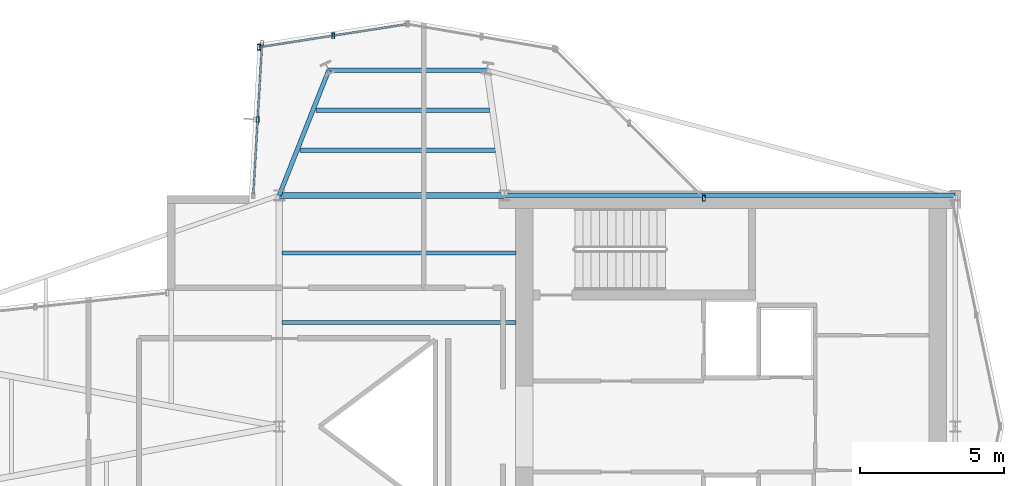
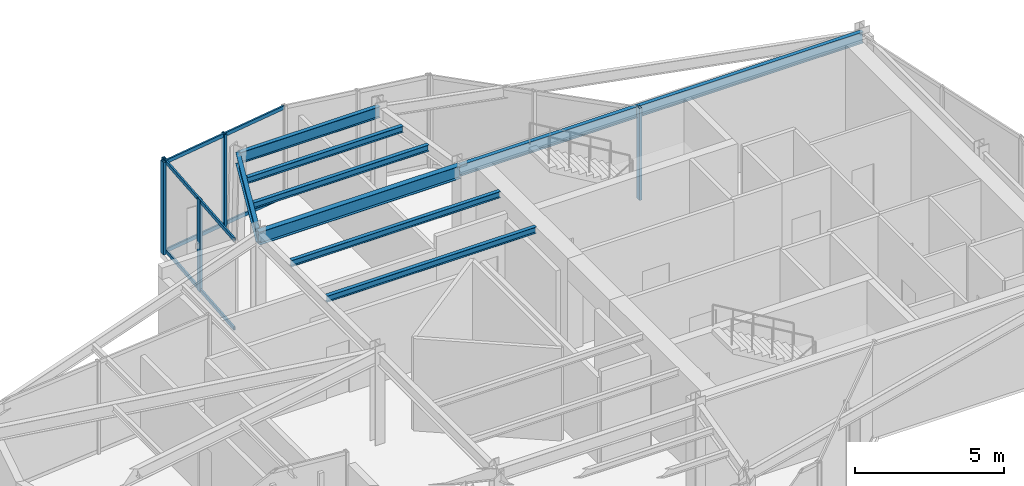
# One storey, part 5 of 13: 9 members, 8 beams, 3 elements without a shape of their own.
"""IFC4 building model written with IfcOpenShell, lengths in metres."""

from ifc_helpers import new_model, si_unit, direction, frame, origin, origin_2d, place, context, subcontext, project, spatial, hollow_rectangle, i_section, extrude, material, layer, layer_set, material_profile, profile_set, type_object, element, aggregate, save


model = new_model("IFC4")

# Units and contexts
model_context = context("Model", 3, precision=1e-05, world=origin(), true_north=direction((0.0, 1.0)))
body_context = subcontext(model_context, "Body", "Model", "MODEL_VIEW")
ifc_project = project(units=[si_unit("LENGTHUNIT", "METRE"), si_unit("AREAUNIT", "SQUARE_METRE"), si_unit("VOLUMEUNIT", "CUBIC_METRE"), si_unit("PLANEANGLEUNIT", "RADIAN"), si_unit("MASSUNIT", "GRAM", prefix="KILO")], contexts=[model_context])

# Site, building, storey
site_placement = place(None, origin())
site = spatial("IfcSite", under=ifc_project, at=site_placement, CompositionType="ELEMENT")
building_placement = place(site_placement, origin())
building = spatial("IfcBuilding", under=site, at=building_placement, Name="Veymaron Broadcast Tower", CompositionType="ELEMENT")
storey_placement = place(building_placement, frame((0.0, 0.0, 311.39990234375)))
storey = spatial("IfcBuildingStorey", under=building, at=storey_placement, Name="L73", CompositionType="ELEMENT", Elevation=311.39990234375)

# Beams
ifc_material_1 = material(Name="Structural steel ASTM A992 Gr 50", Category="steel")
ifc_material_profile_1 = material_profile(ifc_material_1, i_section(OverallWidth=0.208984375, OverallDepth=0.528076171875, WebThickness=0.009521484375, FlangeThickness=0.01318359375, at=origin_2d()), Name="W530X82")
ifc_profile_set_1 = profile_set([ifc_material_profile_1], Name="Structural steel ASTM A992 Gr 50")
beam_type_1 = type_object("IfcBeamType", Name="BM-FG4", PredefinedType="BEAM", material=ifc_profile_set_1)
beam_1_placement = place(storey_placement, frame((31.199951171875, 32.0, 3.51611328125), z_axis=(1.0, 0.0, 0.0), x_axis=(0.0, 1.0, 0.0)))
element("IfcBeam", 1, at=beam_1_placement, inside=storey, type_object=beam_type_1, Name="L73 primary structural floor girder", PredefinedType="BEAM", context=body_context, shape_type="SweptSolid", body=[
    extrude(i_section(OverallWidth=0.208984375, OverallDepth=0.528076171875, WebThickness=0.009521484375, FlangeThickness=0.01318359375, at=origin_2d()), origin(), (0.0, 0.0, 1.0), 7.800048828125),
])
ifc_material_profile_2 = material_profile(ifc_material_1, i_section(OverallWidth=0.14599609375, OverallDepth=0.258056640625, WebThickness=0.006103515625, FlangeThickness=0.009033203125, at=origin_2d()), Name="W250X33")
ifc_profile_set_2 = profile_set([ifc_material_profile_2], Name="Structural steel ASTM A992 Gr 50")
beam_type_2 = type_object("IfcBeamType", Name="BM-JS4", PredefinedType="JOIST", material=ifc_profile_set_2)
beam_2_placement = place(storey_placement, frame((31.9169921875, 33.55810546875, 3.651123046875), z_axis=(1.0, 0.0, 0.0), x_axis=(0.0, 1.0, 0.0)))
element("IfcBeam", 2, at=beam_2_placement, inside=storey, type_object=beam_type_2, Name="L73 Arm-B secondary joist 1", PredefinedType="JOIST", context=body_context, shape_type="SweptSolid", body=[
    extrude(i_section(OverallWidth=0.14599609375, OverallDepth=0.258056640625, WebThickness=0.006103515625, FlangeThickness=0.009033203125, at=origin_2d()), origin(), (0.0, 0.0, 1.0), 6.7626953125),
])
beam_3_placement = place(storey_placement, frame((32.465087890625, 34.943115234375, 3.651123046875), z_axis=(1.0, 0.0, 0.0), x_axis=(0.0, 1.0, 0.0)))
element("IfcBeam", 3, at=beam_3_placement, inside=storey, type_object=beam_type_2, Name="L73 Arm-B secondary joist 2", PredefinedType="JOIST", context=body_context, shape_type="SweptSolid", body=[
    extrude(i_section(OverallWidth=0.14599609375, OverallDepth=0.258056640625, WebThickness=0.006103515625, FlangeThickness=0.009033203125, at=origin_2d()), origin(), (0.0, 0.0, 1.0), 6.018798828125),
])
for number, where, z_axis, x_axis, name in (
    (4, (31.300048828125, 27.60009765625, 3.651123046875), (1.0, 0.0, 0.0), (0.0, 1.0, 0.0), "L73 Hub secondary joist 3"),
    (5, (31.300048828125, 30.0, 3.651123046875), (1.0, 0.0, 0.0), (0.0, 1.0, 0.0), "L73 Hub secondary joist 4"),
):
    element("IfcBeam", number, at=place(storey_placement, frame(where, z_axis=z_axis, x_axis=x_axis)), inside=storey, type_object=beam_type_2, Name=name, PredefinedType="JOIST", context=body_context, shape_type="SweptSolid", body=[
        extrude(i_section(OverallWidth=0.14599609375, OverallDepth=0.258056640625, WebThickness=0.006103515625, FlangeThickness=0.009033203125, at=origin_2d()), origin(), (0.0, 0.0, 1.0), 8.099853515625),
    ])
ifc_material_profile_3 = material_profile(ifc_material_1, i_section(OverallWidth=0.154052734375, OverallDepth=0.458984375, WebThickness=0.009033203125, FlangeThickness=0.015380859375, at=origin_2d()), Name="W460X68")
ifc_profile_set_3 = profile_set([ifc_material_profile_3], Name="Structural steel ASTM A992 Gr 50")
beam_type_3 = type_object("IfcBeamType", Name="BM-SP2", PredefinedType="SPANDREL", material=ifc_profile_set_3)
beam_4_placement = place(storey_placement, frame((39.0, 32.0, 3.550537109375), z_axis=(1.0, 0.0, 0.0), x_axis=(0.0, 1.0, 0.0)))
element("IfcBeam", 6, at=beam_4_placement, inside=storey, type_object=beam_type_3, Name="L73 primary structural floor girder", PredefinedType="SPANDREL", context=body_context, shape_type="SweptSolid", body=[
    extrude(i_section(OverallWidth=0.154052734375, OverallDepth=0.458984375, WebThickness=0.009033203125, FlangeThickness=0.015380859375, at=origin_2d()), origin(), (0.0, 0.0, 1.0), 15.60009765625),
])
beam_5_placement = place(storey_placement, frame((31.199951171875, 32.0, 3.550537109375), z_axis=(0.368141972335, 0.929769588772, 0.0), x_axis=(-0.929769588772, 0.368141972335, 0.0)))
element("IfcBeam", 7, at=beam_5_placement, inside=storey, type_object=beam_type_3, Name="L73 primary structural floor girder", PredefinedType="SPANDREL", context=body_context, shape_type="SweptSolid", body=[
    extrude(i_section(OverallWidth=0.154052734375, OverallDepth=0.458984375, WebThickness=0.009033203125, FlangeThickness=0.015380859375, at=origin_2d()), origin(), (0.0, 0.0, 1.0), 4.65478515625),
])
beam_6_placement = place(storey_placement, frame((32.91357421875, 36.327880859375, 3.550537109375), z_axis=(1.0, 0.0, 0.0), x_axis=(0.0, 1.0, 0.0)))
element("IfcBeam", 8, at=beam_6_placement, inside=storey, type_object=beam_type_3, Name="L73 primary structural floor girder", PredefinedType="SPANDREL", context=body_context, shape_type="SweptSolid", body=[
    extrude(i_section(OverallWidth=0.154052734375, OverallDepth=0.458984375, WebThickness=0.009033203125, FlangeThickness=0.015380859375, at=origin_2d()), origin(), (0.0, 0.0, 1.0), 5.474365234375),
])

# Curtain wall, member
ifc_material_2 = material(Name="Anodised aluminium AA 6063-T6 and laminated low-E dark glass", Category="aluminium")
ifc_layer = layer(ifc_material_2, 0.179931640625)
ifc_layer_set = layer_set([ifc_layer], Name="Anodised aluminium AA 6063-T6 and laminated low-E dark glass")
curtain_wall_type = type_object("IfcCurtainWallType", Name="CW-SYS-06", PredefinedType="NOTDEFINED", material=ifc_layer_set)
curtain_wall_1_placement = place(storey_placement, origin())
curtain_wall_1 = element("IfcCurtainWall", 9, at=curtain_wall_1_placement, inside=storey, type_object=curtain_wall_type, Name="L73 dark-glass curtain wall CW-L73-E5-1", PredefinedType="NOTDEFINED")
ifc_material_3 = material(Name="Anodised aluminium AA 6063-T6", Category="aluminium")
ifc_material_profile_4 = material_profile(ifc_material_3, hollow_rectangle(XDim=0.10009765625, YDim=0.199951171875, WallThickness=0.010009765625, at=origin_2d()), Name="RHS200X100X10")
ifc_profile_set_4 = profile_set([ifc_material_profile_4], Name="Anodised aluminium AA 6063-T6")
member_type_1 = type_object("IfcMemberType", Name="CW-MUL-01", PredefinedType="MULLION", material=ifc_profile_set_4)
member_1_placement = place(storey_placement, frame((45.900390625, 31.90087890625, 0.0), z_axis=(0.0, 0.0, 1.0), x_axis=(1.0, 0.0, 0.0)))
member_1 = element("IfcMember", 10, at=member_1_placement, type_object=member_type_1, Name="CW-L73-E5-1 mullion 0", PredefinedType="MULLION", context=body_context, shape_type="SweptSolid", body=[
    extrude(hollow_rectangle(XDim=0.10009765625, YDim=0.199951171875, WallThickness=0.010009765625, at=origin_2d()), origin(), (0.0, 0.0, 1.0), 3.780029296875),
])
aggregate(curtain_wall_1, [member_1])

# Curtain wall, members
curtain_wall_2_placement = place(storey_placement, origin())
curtain_wall_2 = element("IfcCurtainWall", 11, at=curtain_wall_2_placement, inside=storey, type_object=curtain_wall_type, Name="L73 dark-glass curtain wall CW-L73-E7-1", PredefinedType="NOTDEFINED")
member_2_placement = place(storey_placement, frame((33.072265625, 37.52880859375, 0.0), z_axis=(0.0, 0.0, 1.0), x_axis=(1.0, 0.0, 0.0)))
member_2 = element("IfcMember", 12, at=member_2_placement, type_object=member_type_1, Name="CW-L73-E7-1 mullion 1", PredefinedType="MULLION", context=body_context, shape_type="SweptSolid", body=[
    extrude(hollow_rectangle(XDim=0.10009765625, YDim=0.199951171875, WallThickness=0.010009765625, at=origin_2d()), origin(), (0.0, 0.0, 1.0), 3.780029296875),
])
member_3_placement = place(storey_placement, frame((30.48583984375, 37.126953125, 0.0), z_axis=(0.0, 0.0, 1.0), x_axis=(1.0, 0.0, 0.0)))
member_3 = element("IfcMember", 13, at=member_3_placement, type_object=member_type_1, Name="CW-L73-E7-1 mullion 2", PredefinedType="MULLION", context=body_context, shape_type="SweptSolid", body=[
    extrude(hollow_rectangle(XDim=0.10009765625, YDim=0.199951171875, WallThickness=0.010009765625, at=origin_2d()), origin(), (0.0, 0.0, 1.0), 3.780029296875),
])

curtain_wall_3_placement = place(storey_placement, origin())
curtain_wall_3 = element("IfcCurtainWall", 14, at=curtain_wall_3_placement, inside=storey, type_object=curtain_wall_type, Name="L73 dark-glass curtain wall CW-L73-E8-1", PredefinedType="NOTDEFINED")
member_4_placement = place(storey_placement, frame((30.60400390625, 37.257080078125, 0.0), z_axis=(0.0, 0.0, 1.0), x_axis=(1.0, 0.0, 0.0)))
member_4 = element("IfcMember", 15, at=member_4_placement, type_object=member_type_1, Name="CW-L73-E8-1 mullion 0", PredefinedType="MULLION", context=body_context, shape_type="SweptSolid", body=[
    extrude(hollow_rectangle(XDim=0.10009765625, YDim=0.199951171875, WallThickness=0.010009765625, at=origin_2d()), origin(), (0.0, 0.0, 1.0), 3.780029296875),
])
member_5_placement = place(storey_placement, frame((30.451904296875, 34.62451171875, 0.0), z_axis=(0.0, 0.0, 1.0), x_axis=(1.0, 0.0, 0.0)))
member_5 = element("IfcMember", 16, at=member_5_placement, type_object=member_type_1, Name="CW-L73-E8-1 mullion 1", PredefinedType="MULLION", context=body_context, shape_type="SweptSolid", body=[
    extrude(hollow_rectangle(XDim=0.10009765625, YDim=0.199951171875, WallThickness=0.010009765625, at=origin_2d()), origin(), (0.0, 0.0, 1.0), 3.780029296875),
])

# Member
ifc_material_profile_5 = material_profile(ifc_material_3, hollow_rectangle(XDim=0.06494140625, YDim=0.14990234375, WallThickness=0.00390625, at=origin_2d()), Name="AL150X65X4")
ifc_profile_set_5 = profile_set([ifc_material_profile_5], Name="Anodised aluminium AA 6063-T6")
member_type_2 = type_object("IfcMemberType", Name="CW-TRN-01", PredefinedType="USERDEFINED", material=ifc_profile_set_5)
member_6_placement = place(storey_placement, frame((35.609375, 37.923095703125, 0.070068359375), z_axis=(-0.988138602753, -0.153564650062, 0.0), x_axis=(0.153564650062, -0.988138602753, 0.0)))
member_6 = element("IfcMember", 17, at=member_6_placement, type_object=member_type_2, Name="CW-L73-E7-1 transom B", ObjectType="TRANSOM", PredefinedType="USERDEFINED", context=body_context, shape_type="SweptSolid", body=[
    extrude(hollow_rectangle(XDim=0.06494140625, YDim=0.14990234375, WallThickness=0.00390625, at=origin_2d()), origin(), (0.0, 0.0, 1.0), 5.135009765625),
])

member_7_placement = place(storey_placement, frame((35.609375, 37.923095703125, 3.710205078125), z_axis=(-0.988138602753, -0.153564650062, 0.0), x_axis=(0.153564650062, -0.988138602753, 0.0)))
member_7 = element("IfcMember", 18, at=member_7_placement, type_object=member_type_2, Name="CW-L73-E7-1 transom T", ObjectType="TRANSOM", PredefinedType="USERDEFINED", context=body_context, shape_type="SweptSolid", body=[
    extrude(hollow_rectangle(XDim=0.06494140625, YDim=0.14990234375, WallThickness=0.00390625, at=origin_2d()), origin(), (0.0, 0.0, 1.0), 5.135009765625),
])

aggregate(curtain_wall_2, [member_2, member_3, member_6, member_7])

member_8_placement = place(storey_placement, frame((30.601318359375, 37.207275390625, 0.070068359375), z_axis=(-0.0577538974, -0.998330850638, 0.0), x_axis=(0.998330850638, -0.0577538974, 0.0)))
member_8 = element("IfcMember", 19, at=member_8_placement, type_object=member_type_2, Name="CW-L73-E8-1 transom B", ObjectType="TRANSOM", PredefinedType="USERDEFINED", context=body_context, shape_type="SweptSolid", body=[
    extrude(hollow_rectangle(XDim=0.06494140625, YDim=0.14990234375, WallThickness=0.00390625, at=origin_2d()), origin(), (0.0, 0.0, 1.0), 5.174072265625),
])

member_9_placement = place(storey_placement, frame((30.601318359375, 37.207275390625, 3.710205078125), z_axis=(-0.0577538974, -0.998330850638, 0.0), x_axis=(0.998330850638, -0.0577538974, 0.0)))
member_9 = element("IfcMember", 20, at=member_9_placement, type_object=member_type_2, Name="CW-L73-E8-1 transom T", ObjectType="TRANSOM", PredefinedType="USERDEFINED", context=body_context, shape_type="SweptSolid", body=[
    extrude(hollow_rectangle(XDim=0.06494140625, YDim=0.14990234375, WallThickness=0.00390625, at=origin_2d()), origin(), (0.0, 0.0, 1.0), 5.174072265625),
])

aggregate(curtain_wall_3, [member_4, member_5, member_8, member_9])

save(model, "model.ifc")
